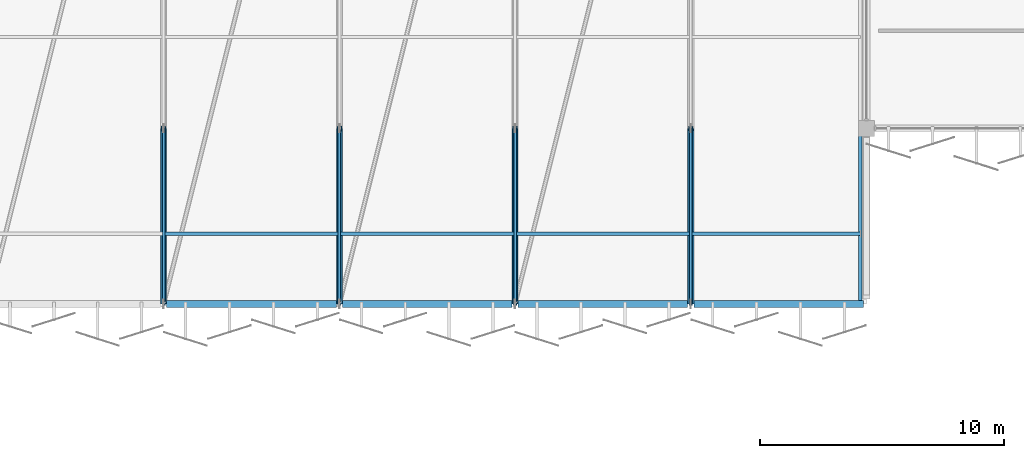
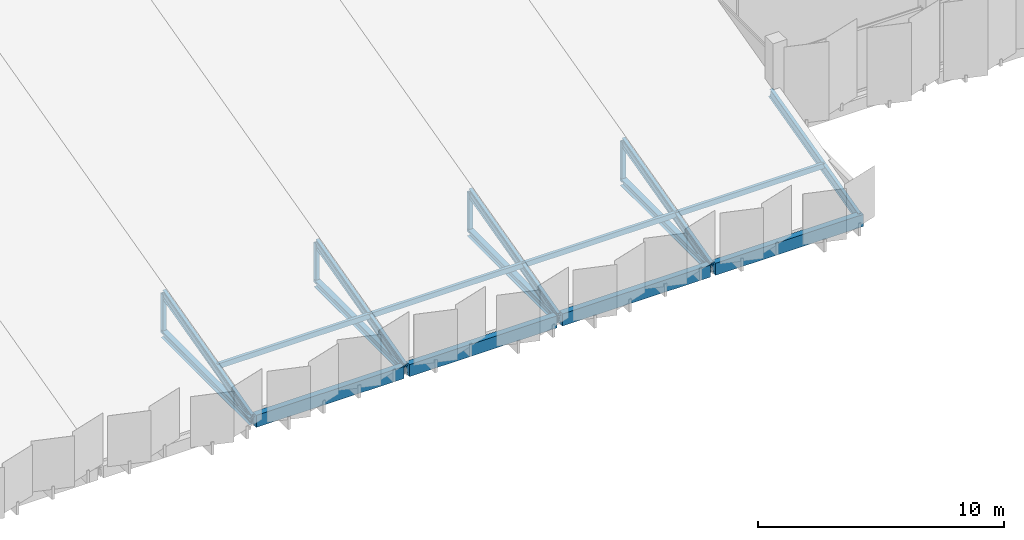
# One storey, part 29 of 108: 21 members, 4 beams.
"""IFC4 building model written with IfcOpenShell, lengths in metres."""

from ifc_helpers import new_model, si_unit, direction, frame, origin, origin_2d, place, context, subcontext, project, spatial, rectangle, hollow_rectangle, i_section, extrude, material, material_profile, profile_set, type_object, element, save


model = new_model("IFC4")

# Units and contexts
model_context = context("Model", 3, precision=1e-05, world=origin(), true_north=direction((0.0, 1.0)))
body_context = subcontext(model_context, "Body", "Model", "MODEL_VIEW")
ifc_project = project(units=[si_unit("LENGTHUNIT", "METRE"), si_unit("AREAUNIT", "SQUARE_METRE"), si_unit("VOLUMEUNIT", "CUBIC_METRE"), si_unit("PLANEANGLEUNIT", "RADIAN"), si_unit("MASSUNIT", "GRAM", prefix="KILO")], contexts=[model_context])

# Site, building, storey
site_placement = place(None, origin())
site = spatial("IfcSite", under=ifc_project, at=site_placement, CompositionType="ELEMENT")
building_placement = place(site_placement, origin())
building = spatial("IfcBuilding", under=site, at=building_placement, Name="Kangsadwip Square Police Headquarters", CompositionType="ELEMENT")
storey_placement = place(building_placement, frame((0.0, 0.0, 9.449951171875)))
storey = spatial("IfcBuildingStorey", under=building, at=storey_placement, Name="L02", CompositionType="ELEMENT", Elevation=9.449951171875)

# Beams
ifc_material_1 = material(Name="Concrete M40 (40 MPa)", Category="concrete")
ifc_material_profile_1 = material_profile(ifc_material_1, rectangle(XDim=0.280029296875, YDim=0.60009765625, at=origin_2d()), Name="RC SPN 600X280")
ifc_profile_set_1 = profile_set([ifc_material_profile_1], Name="Concrete M40 (40 MPa)")
beam_type = type_object("IfcBeamType", Name="RcSpandrel600x280", PredefinedType="SPANDREL", material=ifc_profile_set_1)
for number, where, z_axis, x_axis, name in (
    (1, (64.925048828125, 86.39990234375, -0.5400390625), (1.0, 0.0, 0.0), (0.0, 1.0, 0.0), "Beam BM-L02-X-09-12"),
    (2, (72.125, 86.39990234375, -0.5400390625), (1.0, 0.0, 0.0), (0.0, 1.0, 0.0), "Beam BM-L02-X-10-12"),
    (3, (79.324951171875, 86.39990234375, -0.5400390625), (1.0, 0.0, 0.0), (0.0, 1.0, 0.0), "Beam BM-L02-X-11-12"),
):
    element("IfcBeam", number, at=place(storey_placement, frame(where, z_axis=z_axis, x_axis=x_axis)), inside=storey, type_object=beam_type, Name=name, PredefinedType="SPANDREL", context=body_context, shape_type="SweptSolid", body=[
        extrude(rectangle(XDim=0.280029296875, YDim=0.60009765625, at=origin_2d()), origin(), (0.0, 0.0, 1.0), 6.949951171875),
    ])
beam_placement = place(storey_placement, frame((86.52490234375, 86.39990234375, -0.5400390625), z_axis=(1.0, 0.0, 0.0), x_axis=(0.0, 1.0, 0.0)))
element("IfcBeam", 4, at=beam_placement, inside=storey, type_object=beam_type, Name="Beam BM-L02-X-12-12", PredefinedType="SPANDREL", context=body_context, shape_type="SweptSolid", body=[
    extrude(rectangle(XDim=0.280029296875, YDim=0.60009765625, at=origin_2d()), origin(), (0.0, 0.0, 1.0), 6.9501953125),
])

# Members
ifc_material_2 = material(Name="Structural steel IS 2062 E350 (Grade 350, 350 MPa)", Category="steel")
ifc_material_profile_2 = material_profile(ifc_material_2, hollow_rectangle(XDim=0.139892578125, YDim=0.260009765625, WallThickness=0.010009765625, at=origin_2d()), Name="RHS 260X140X10")
ifc_profile_set_2 = profile_set([ifc_material_profile_2], Name="Structural steel IS 2062 E350 (Grade 350, 350 MPa)")
member_type_1 = type_object("IfcMemberType", Name="RoofPurlinRhs260", PredefinedType="PURLIN", material=ifc_profile_set_2)
for number, where, z_axis, x_axis, name in (
    (5, (64.800048828125, 89.280029296875, 0.429931640625), (1.0, 0.0, 0.0), (0.0, 1.0, 0.0), "Truss Member MEM-L02-0096"),
    (6, (72.0, 89.280029296875, 0.429931640625), (1.0, 0.0, 0.0), (0.0, 1.0, 0.0), "Truss Member MEM-L02-0102"),
    (7, (79.199951171875, 89.280029296875, 0.429931640625), (1.0, 0.0, 0.0), (0.0, 1.0, 0.0), "Truss Member MEM-L02-0108"),
):
    element("IfcMember", number, at=place(storey_placement, frame(where, z_axis=z_axis, x_axis=x_axis)), inside=storey, type_object=member_type_1, Name=name, PredefinedType="PURLIN", context=body_context, shape_type="SweptSolid", body=[
        extrude(hollow_rectangle(XDim=0.139892578125, YDim=0.260009765625, WallThickness=0.010009765625, at=origin_2d()), origin(), (0.0, 0.0, 1.0), 7.199951171875),
    ])
member_placement = place(storey_placement, frame((86.39990234375, 89.280029296875, 0.429931640625), z_axis=(1.0, 0.0, 0.0), x_axis=(0.0, 1.0, 0.0)))
element("IfcMember", 8, at=member_placement, inside=storey, type_object=member_type_1, Name="Truss Member MEM-L02-0114", PredefinedType="PURLIN", context=body_context, shape_type="SweptSolid", body=[
    extrude(hollow_rectangle(XDim=0.139892578125, YDim=0.260009765625, WallThickness=0.010009765625, at=origin_2d()), origin(), (0.0, 0.0, 1.0), 6.9501953125),
])
ifc_material_3 = material(Name="Structural steel IS 2062 E350 (Grade 350, 350 MPa)", Category="steel")
ifc_material_profile_3 = material_profile(ifc_material_3, i_section(OverallWidth=0.14990234375, OverallDepth=0.449951171875, WebThickness=0.009521484375, FlangeThickness=0.017333984375, at=origin_2d()), Name="ISMB 450")
ifc_profile_set_3 = profile_set([ifc_material_profile_3], Name="Structural steel IS 2062 E350 (Grade 350, 350 MPa)")
member_type_2 = type_object("IfcMemberType", Name="SawtoothRafterIsmb450", PredefinedType="RAFTER", material=ifc_profile_set_3)
for number, where, z_axis, x_axis, name in (
    (9, (64.800048828125, 86.39990234375, -0.419921875), (0.0, 0.968545642507, 0.248835966814), (-1.0, 0.0, 0.0), "Truss Member MEM-L02-0031"),
    (10, (72.0, 86.39990234375, -0.419921875), (0.0, 0.968545642507, 0.248835966814), (-1.0, 0.0, 0.0), "Truss Member MEM-L02-0043"),
    (11, (79.199951171875, 86.39990234375, -0.419921875), (0.0, 0.968545642507, 0.248835966814), (-1.0, 0.0, 0.0), "Truss Member MEM-L02-0055"),
    (12, (86.39990234375, 86.39990234375, -0.419921875), (0.0, 0.968545642507, 0.248835966814), (-1.0, 0.0, 0.0), "Truss Member MEM-L02-0067"),
    (13, (93.35009765625, 86.39990234375, -0.419921875), (0.0, 0.968545642507, 0.248835966814), (-1.0, 0.0, 0.0), "Truss Member MEM-L02-0076"),
):
    element("IfcMember", number, at=place(storey_placement, frame(where, z_axis=z_axis, x_axis=x_axis)), inside=storey, type_object=member_type_2, Name=name, PredefinedType="RAFTER", context=body_context, shape_type="SweptSolid", body=[
        extrude(i_section(OverallWidth=0.14990234375, OverallDepth=0.449951171875, WebThickness=0.009521484375, FlangeThickness=0.017333984375, at=origin_2d()), origin(), (0.0, 0.0, 1.0), 7.43408203125),
    ])
ifc_material_4 = material(Name="Structural steel IS 2062 E350 (Grade 350, 350 MPa)", Category="steel")
ifc_material_profile_4 = material_profile(ifc_material_4, i_section(OverallWidth=0.25, OverallDepth=0.35009765625, WebThickness=0.010009765625, FlangeThickness=0.01171875, at=origin_2d()), Name="ISHB 350")
ifc_profile_set_4 = profile_set([ifc_material_profile_4], Name="Structural steel IS 2062 E350 (Grade 350, 350 MPa)")
member_type_3 = type_object("IfcMemberType", Name="TrussBotChordIshb350", PredefinedType="CHORD", material=ifc_profile_set_4)
for number, where, z_axis, x_axis, name in (
    (14, (64.800048828125, 86.39990234375, -0.550048828125), (0.0, 1.0, 0.0), (-1.0, 0.0, 0.0), "Truss Member MEM-L02-0028"),
    (15, (72.0, 86.39990234375, -0.550048828125), (0.0, 1.0, 0.0), (-1.0, 0.0, 0.0), "Truss Member MEM-L02-0040"),
    (16, (79.199951171875, 86.39990234375, -0.550048828125), (0.0, 1.0, 0.0), (-1.0, 0.0, 0.0), "Truss Member MEM-L02-0052"),
    (17, (86.39990234375, 86.39990234375, -0.550048828125), (0.0, 1.0, 0.0), (-1.0, 0.0, 0.0), "Truss Member MEM-L02-0064"),
):
    element("IfcMember", number, at=place(storey_placement, frame(where, z_axis=z_axis, x_axis=x_axis)), inside=storey, type_object=member_type_3, Name=name, PredefinedType="CHORD", context=body_context, shape_type="SweptSolid", body=[
        extrude(i_section(OverallWidth=0.25, OverallDepth=0.35009765625, WebThickness=0.010009765625, FlangeThickness=0.01171875, at=origin_2d()), origin(), (0.0, 0.0, 1.0), 7.2001953125),
    ])
ifc_material_5 = material(Name="Structural steel IS 2062 E350 (Grade 350, 350 MPa)", Category="steel")
ifc_material_profile_5 = material_profile(ifc_material_5, hollow_rectangle(XDim=0.10009765625, YDim=0.199951171875, WallThickness=0.008056640625, at=origin_2d()), Name="RHS 200X100X8")
ifc_profile_set_5 = profile_set([ifc_material_profile_5], Name="Structural steel IS 2062 E350 (Grade 350, 350 MPa)")
member_type_4 = type_object("IfcMemberType", Name="TrussBraceRhs200", PredefinedType="BRACE", material=ifc_profile_set_5)
for number, where, z_axis, x_axis, name in (
    (18, (64.800048828125, 86.39990234375, -0.550048828125), (0.0, 0.964207900368, 0.265147364437), (-1.0, 0.0, 0.0), "Truss Member MEM-L02-0037"),
    (19, (72.0, 86.39990234375, -0.550048828125), (0.0, 0.964207900368, 0.265147364437), (-1.0, 0.0, 0.0), "Truss Member MEM-L02-0049"),
    (20, (79.199951171875, 86.39990234375, -0.550048828125), (0.0, 0.964207900368, 0.265147364437), (-1.0, 0.0, 0.0), "Truss Member MEM-L02-0061"),
    (21, (86.39990234375, 86.39990234375, -0.550048828125), (0.0, 0.964207900368, 0.265147364437), (-1.0, 0.0, 0.0), "Truss Member MEM-L02-0073"),
):
    element("IfcMember", number, at=place(storey_placement, frame(where, z_axis=z_axis, x_axis=x_axis)), inside=storey, type_object=member_type_4, Name=name, PredefinedType="BRACE", context=body_context, shape_type="SweptSolid", body=[
        extrude(hollow_rectangle(XDim=0.10009765625, YDim=0.199951171875, WallThickness=0.008056640625, at=origin_2d()), origin(), (0.0, 0.0, 1.0), 7.467529296875),
    ])
ifc_material_6 = material(Name="Structural steel IS 2062 E350 (Grade 350, 350 MPa)", Category="steel")
ifc_material_profile_6 = material_profile(ifc_material_6, hollow_rectangle(XDim=0.179931640625, YDim=0.179931640625, WallThickness=0.010009765625, at=origin_2d()), Name="SHS 180X180X10")
ifc_profile_set_6 = profile_set([ifc_material_profile_6], Name="Structural steel IS 2062 E350 (Grade 350, 350 MPa)")
member_type_5 = type_object("IfcMemberType", Name="TrussPostShs180", PredefinedType="POST", material=ifc_profile_set_6)
for number, where, z_axis, x_axis, name in (
    (22, (64.800048828125, 93.60009765625, -0.550048828125), (0.0, 0.0, 1.0), (1.0, 0.0, 0.0), "Truss Member MEM-L02-0034"),
    (23, (72.0, 93.60009765625, -0.550048828125), (0.0, 0.0, 1.0), (1.0, 0.0, 0.0), "Truss Member MEM-L02-0046"),
    (24, (79.199951171875, 93.60009765625, -0.550048828125), (0.0, 0.0, 1.0), (1.0, 0.0, 0.0), "Truss Member MEM-L02-0058"),
    (25, (86.39990234375, 93.60009765625, -0.550048828125), (0.0, 0.0, 1.0), (1.0, 0.0, 0.0), "Truss Member MEM-L02-0070"),
):
    element("IfcMember", number, at=place(storey_placement, frame(where, z_axis=z_axis, x_axis=x_axis)), inside=storey, type_object=member_type_5, Name=name, PredefinedType="POST", context=body_context, shape_type="SweptSolid", body=[
        extrude(hollow_rectangle(XDim=0.179931640625, YDim=0.179931640625, WallThickness=0.010009765625, at=origin_2d()), origin(), (0.0, 0.0, 1.0), 1.97998046875),
    ])

save(model, "model.ifc")
